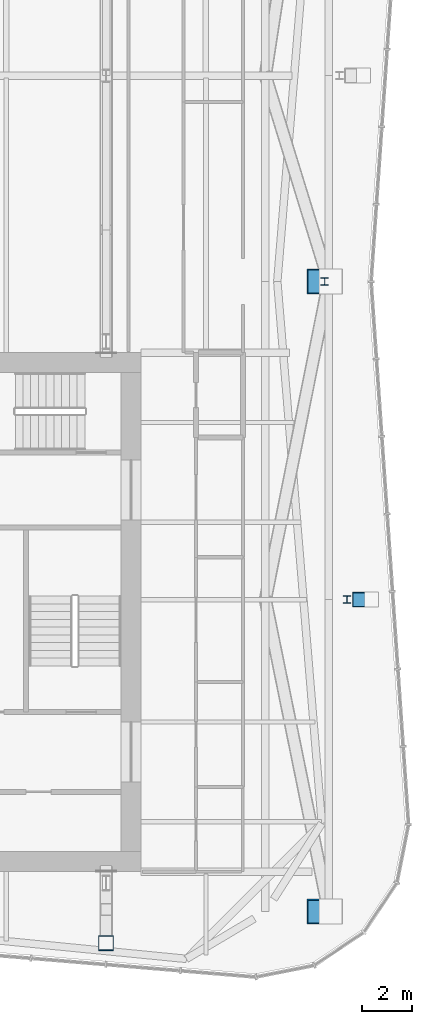
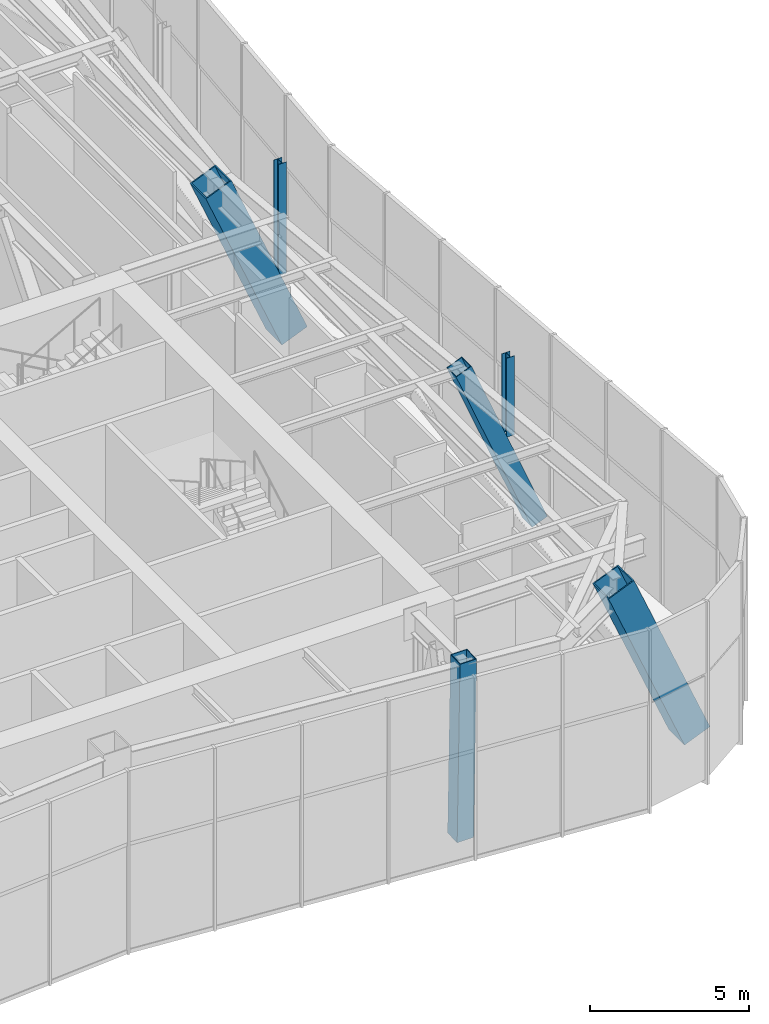
# One storey, part 2 of 17: 6 columns.
"""IFC4 building model written with IfcOpenShell, lengths in metres."""

from ifc_helpers import new_model, si_unit, direction, frame, origin, origin_2d, place, context, subcontext, project, spatial, hollow_rectangle, i_section, extrude, material, material_profile, profile_set, type_object, element, save


model = new_model("IFC4")

# Units and contexts
model_context = context("Model", 3, precision=1e-05, world=origin(), true_north=direction((0.0, 1.0)))
body_context = subcontext(model_context, "Body", "Model", "MODEL_VIEW")
ifc_project = project(units=[si_unit("LENGTHUNIT", "METRE"), si_unit("AREAUNIT", "SQUARE_METRE"), si_unit("VOLUMEUNIT", "CUBIC_METRE"), si_unit("PLANEANGLEUNIT", "RADIAN"), si_unit("MASSUNIT", "GRAM", prefix="KILO")], contexts=[model_context])

# Site, building, storey
site_placement = place(None, origin())
site = spatial("IfcSite", under=ifc_project, at=site_placement, CompositionType="ELEMENT")
building_placement = place(site_placement, origin())
building = spatial("IfcBuilding", under=site, at=building_placement, Name="Verdant Reach Tower", CompositionType="ELEMENT")
storey_placement = place(building_placement, frame((0.0, 0.0, 282.0)))
storey = spatial("IfcBuildingStorey", under=building, at=storey_placement, Name="L65 Plant", CompositionType="ELEMENT", Elevation=282.0)

# Columns
ifc_material = material(Name="Steel S460", Category="steel")
ifc_material_profile_1 = material_profile(ifc_material, hollow_rectangle(XDim=1.0, YDim=1.0, WallThickness=0.044921875, at=origin_2d()), Name="WB 1000x1000x45")
ifc_profile_set_1 = profile_set([ifc_material_profile_1], Name="Steel S460")
column_type_1 = type_object("IfcColumnType", Name="ST-COL-WB1000x1000x45", PredefinedType="COLUMN", material=ifc_profile_set_1)
for number, where, z_axis, x_axis, name in (
    (1, (21.0, 41.25, 0.22265625), (-0.386877430339, 0.0, 0.922131147882), (0.0, -1.0, 0.0), "Mega column east, L65 Plant"),
    (2, (21.0, 16.0, 0.22265625), (-0.386877430339, 0.0, 0.922131147882), (0.0, -1.0, 0.0), "Mega column south-east, L65 Plant"),
):
    element("IfcColumn", number, at=place(storey_placement, frame(where, z_axis=z_axis, x_axis=x_axis)), inside=storey, type_object=column_type_1, Name=name, PredefinedType="COLUMN", context=body_context, shape_type="SweptSolid", body=[
        extrude(hollow_rectangle(XDim=1.0, YDim=1.0, WallThickness=0.044921875, at=origin_2d()), origin(), (0.0, 0.0, 1.0), 7.108154296875),
    ])
ifc_material_profile_2 = material_profile(ifc_material, hollow_rectangle(XDim=0.60009765625, YDim=0.60009765625, WallThickness=0.02490234375, at=origin_2d()), Name="WB 600x600x25")
ifc_profile_set_2 = profile_set([ifc_material_profile_2], Name="Steel S460")
column_type_2 = type_object("IfcColumnType", Name="ST-COL-WB600x600x25", PredefinedType="COLUMN", material=ifc_profile_set_2)
column_1_placement = place(storey_placement, frame((12.0, 14.75, 0.02880859375), z_axis=(0.0, -0.025979412411, 0.999662478105), x_axis=(1.0, 0.0, 0.0)))
element("IfcColumn", 3, at=column_1_placement, inside=storey, type_object=column_type_2, Name="Perimeter column south 2, L65 Plant", PredefinedType="COLUMN", context=body_context, shape_type="SweptSolid", body=[
    extrude(hollow_rectangle(XDim=0.60009765625, YDim=0.60009765625, WallThickness=0.02490234375, at=origin_2d()), origin(), (0.0, 0.0, 1.0), 6.94482421875),
])
column_2_placement = place(storey_placement, frame((22.62939453125, 28.5, 0.1416015625), z_axis=(-0.378894787682, 0.0, 0.925439754856), x_axis=(0.0, -1.0, 0.0)))
element("IfcColumn", 4, at=column_2_placement, inside=storey, type_object=column_type_2, Name="Perimeter column east 1, L65 Plant", PredefinedType="COLUMN", context=body_context, shape_type="SweptSolid", body=[
    extrude(hollow_rectangle(XDim=0.60009765625, YDim=0.60009765625, WallThickness=0.02490234375, at=origin_2d()), origin(), (0.0, 0.0, 1.0), 7.258056640625),
])
ifc_material_profile_3 = material_profile(ifc_material, i_section(OverallWidth=0.300048828125, OverallDepth=0.300048828125, WebThickness=0.010986328125, FlangeThickness=0.01904296875, FilletRadius=0.027099609375, at=origin_2d()), Name="HEB 300")
ifc_profile_set_3 = profile_set([ifc_material_profile_3], Name="Steel S460")
column_type_3 = type_object("IfcColumnType", Name="ST-DECK-POST-HEB300", PredefinedType="COLUMN", material=ifc_profile_set_3)
column_3_placement = place(storey_placement, frame((20.760986328125, 41.25, 2.442138671875), z_axis=(0.0, 0.0, 1.0), x_axis=(1.0, 0.0, 0.0)))
element("IfcColumn", 5, at=column_3_placement, inside=storey, type_object=column_type_3, Name="Terrace deck post, column M-E, L65 Plant", PredefinedType="COLUMN", context=body_context, shape_type="SweptSolid", body=[
    extrude(i_section(OverallWidth=0.300048828125, OverallDepth=0.300048828125, WebThickness=0.010986328125, FlangeThickness=0.01904296875, FilletRadius=0.027099609375, at=origin_2d()), origin(), (0.0, 0.0, 1.0), 4.2578125),
])
column_4_placement = place(storey_placement, frame((21.656982421875, 28.5, 3.6748046875), z_axis=(0.0, 0.0, 1.0), x_axis=(1.0, 0.0, 0.0)))
element("IfcColumn", 6, at=column_4_placement, inside=storey, type_object=column_type_3, Name="Terrace deck post, column P-E1, L65 Plant", PredefinedType="COLUMN", context=body_context, shape_type="SweptSolid", body=[
    extrude(i_section(OverallWidth=0.300048828125, OverallDepth=0.300048828125, WebThickness=0.010986328125, FlangeThickness=0.01904296875, FilletRadius=0.027099609375, at=origin_2d()), origin(), (0.0, 0.0, 1.0), 3.025146484375),
])

save(model, "model.ifc")
